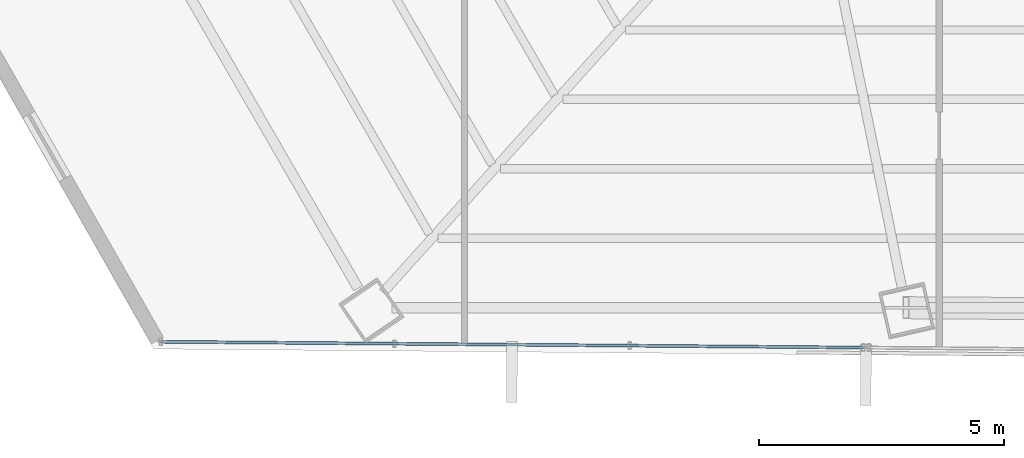
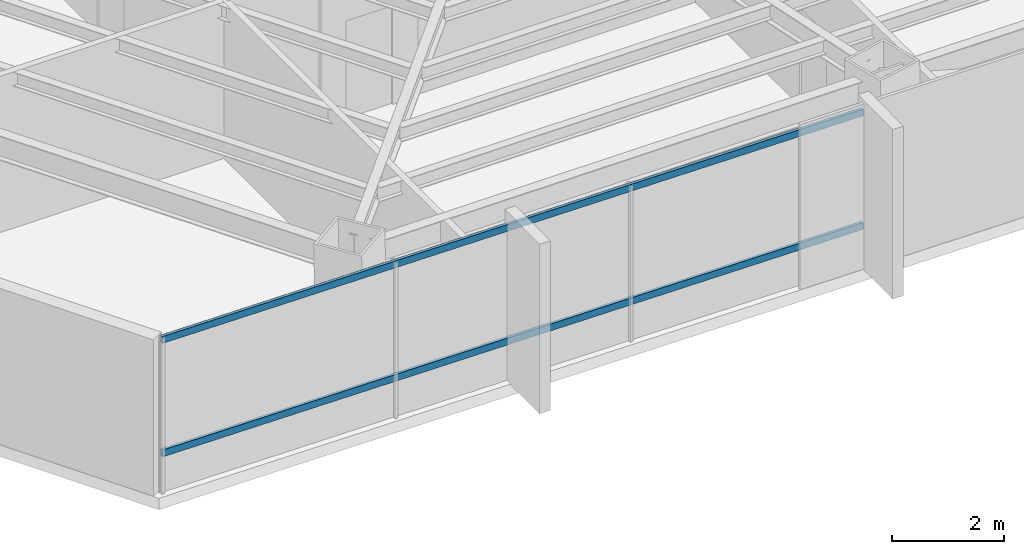
# One storey, part 3 of 38: 2 members, 1 element without a shape of its own.
"""IFC4 building model written with IfcOpenShell, lengths in metres."""

from ifc_helpers import new_model, si_unit, direction, frame, origin, origin_2d, place, context, subcontext, project, spatial, hollow_rectangle, extrude, source, transform, mapped, material, material_profile, profile_set, type_object, type_shapes, element, aggregate, save


model = new_model("IFC4")

# Units and contexts
model_context = context("Model", 3, precision=1e-05, world=origin(), true_north=direction((0.0, 1.0)))
body_context = subcontext(model_context, "Body", "Model", "MODEL_VIEW")
ifc_project = project(units=[si_unit("LENGTHUNIT", "METRE"), si_unit("AREAUNIT", "SQUARE_METRE"), si_unit("VOLUMEUNIT", "CUBIC_METRE"), si_unit("PLANEANGLEUNIT", "RADIAN"), si_unit("MASSUNIT", "GRAM", prefix="KILO")], contexts=[model_context])

# Site, building, storey
site_placement = place(None, origin())
site = spatial("IfcSite", under=ifc_project, at=site_placement, CompositionType="ELEMENT")
building_placement = place(site_placement, origin())
building = spatial("IfcBuilding", under=site, at=building_placement, Name="Caelisora Broadcast Tower", CompositionType="ELEMENT")
storey_placement = place(building_placement, frame((0.0, 0.0, 158.5)))
storey = spatial("IfcBuildingStorey", under=building, at=storey_placement, Name="L41", CompositionType="ELEMENT", Elevation=158.5)

# Curtain wall, members
ifc_material_1 = material(Name="Unitised Aluminium and Low-E Glass Curtain Wall", Category="glass")
curtain_wall_type = type_object("IfcCurtainWallType", Name="CW-Z3", PredefinedType="NOTDEFINED", material=ifc_material_1)
curtain_wall_placement = place(storey_placement, origin())
curtain_wall = element("IfcCurtainWall", 1, at=curtain_wall_placement, inside=storey, type_object=curtain_wall_type, Name="L41 curtain wall CW-Z3", PredefinedType="NOTDEFINED")
ifc_material_2 = material(Name="Aluminium 6063-T6 Anodised Terracotta Bronze", Category="aluminium")
ifc_material_profile = material_profile(ifc_material_2, hollow_rectangle(XDim=0.06005859375, YDim=0.14990234375, WallThickness=0.00341796875, at=origin_2d()), Name="Aluminium 6063-T6 Anodised Terracotta Bronze")
ifc_profile_set = profile_set([ifc_material_profile], Name="Aluminium 6063-T6 Anodised Terracotta Bronze")
member_type = type_object("IfcMemberType", Name="CWT-02", PredefinedType="USERDEFINED", material=ifc_profile_set)
shared_shape = source(origin(), body_context, "Body", "SweptSolid", [
    extrude(hollow_rectangle(XDim=0.06005859375, YDim=0.14990234375, WallThickness=0.00341796875, at=origin_2d()), origin(), (0.0, 0.0, 1.0), 14.359130859375),
])
type_shapes(member_type, [shared_shape])
member_1_placement = place(storey_placement, frame((31.648681640625, 6.650146484375, 0.85009765625), z_axis=(-0.999965436434, 0.008314200915, 0.0), x_axis=(-0.008314200915, -0.999965436434, 0.0)))
member_1 = element("IfcMember", 2, at=member_1_placement, type_object=member_type, Name="L41-CW-B07 transom #1", ObjectType="TRANSOM", PredefinedType="USERDEFINED", context=body_context, shape_type="MappedRepresentation", body=[
    mapped(shared_shape, transform((0.0, 0.0, 0.0), scale=1.0)),
])
member_2_placement = place(storey_placement, frame((31.648681640625, 6.650146484375, 3.320068359375), z_axis=(-0.999965436434, 0.008314200915, 0.0), x_axis=(-0.008314200915, -0.999965436434, 0.0)))
member_2 = element("IfcMember", 3, at=member_2_placement, type_object=member_type, Name="L41-CW-B07 transom #2", ObjectType="TRANSOM", PredefinedType="USERDEFINED", context=body_context, shape_type="MappedRepresentation", body=[
    mapped(shared_shape, transform((0.0, 0.0, 0.0), scale=1.0)),
])
aggregate(curtain_wall, [member_1, member_2])

save(model, "model.ifc")
